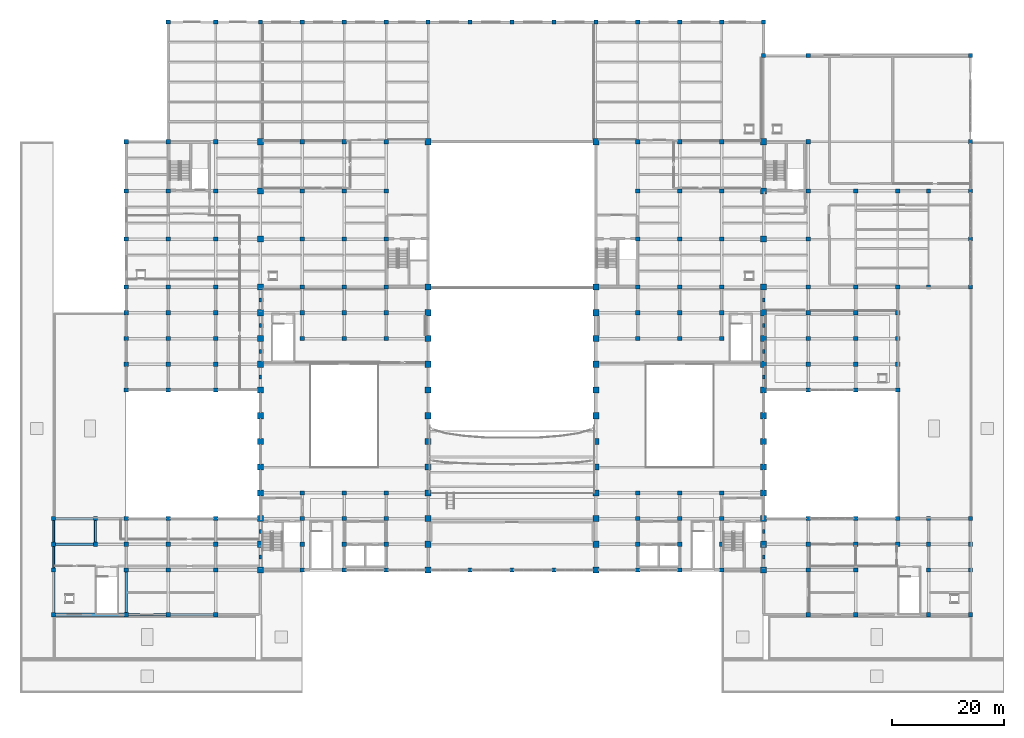
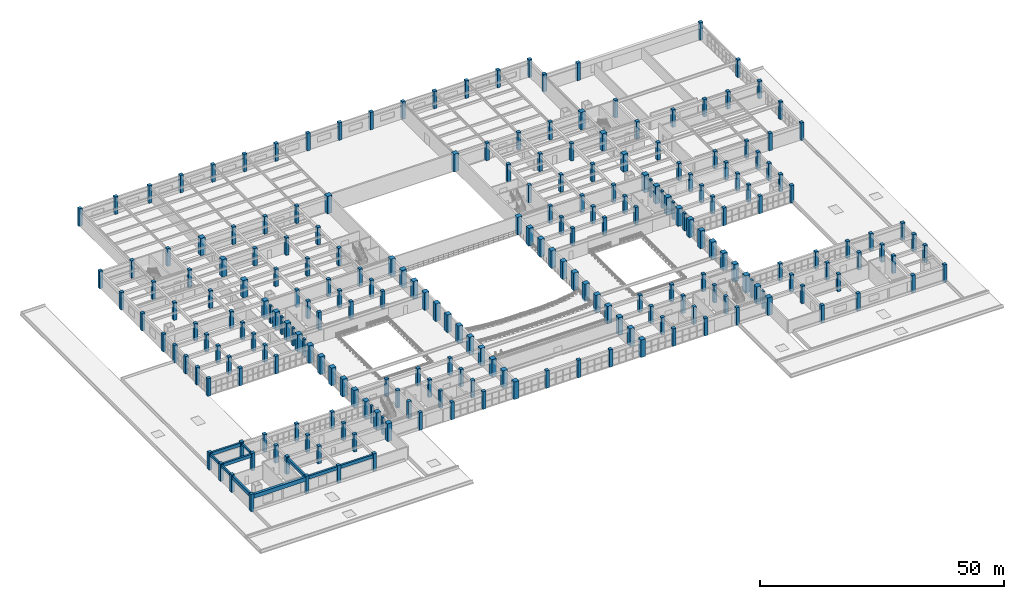
# One storey, part 1 of 90: 235 columns, 10 beams.
"""IFC4 building model written with IfcOpenShell, lengths in metres."""

from ifc_helpers import new_model, si_unit, direction, frame, origin, origin_2d, place, context, subcontext, project, spatial, rectangle, extrude, material, material_profile, profile_set, type_object, element, save


model = new_model("IFC4")

# Units and contexts
model_context = context("Model", 3, precision=1e-05, world=origin(), true_north=direction((0.0, 1.0)))
body_context = subcontext(model_context, "Body", "Model", "MODEL_VIEW")
ifc_project = project(units=[si_unit("LENGTHUNIT", "METRE"), si_unit("AREAUNIT", "SQUARE_METRE"), si_unit("VOLUMEUNIT", "CUBIC_METRE"), si_unit("PLANEANGLEUNIT", "RADIAN"), si_unit("MASSUNIT", "GRAM", prefix="KILO")], contexts=[model_context])

# Site, building, storey
site_placement = place(None, origin())
site = spatial("IfcSite", under=ifc_project, at=site_placement, CompositionType="ELEMENT")
building_placement = place(site_placement, origin())
building = spatial("IfcBuilding", under=site, at=building_placement, Name="Muzn Square Opera House", CompositionType="ELEMENT")
storey_placement = place(building_placement, frame((0.0, 0.0, 9.800048828125)))
storey = spatial("IfcBuildingStorey", under=building, at=storey_placement, Name="L02", CompositionType="ELEMENT", Elevation=9.800048828125)

# Columns
ifc_material_1 = material(Name="Concrete C45/55", Category="concrete")
ifc_material_profile_1 = material_profile(ifc_material_1, rectangle(XDim=0.449951171875, YDim=0.699951171875, at=origin_2d()), Name="RC 450x700", Category="concrete")
ifc_profile_set_1 = profile_set([ifc_material_profile_1], Name="Concrete C45/55")
column_type_1 = type_object("IfcColumnType", Name="Facade Pilaster 450x700", PredefinedType="PILASTER", material=ifc_profile_set_1)
for number, where, z_axis, x_axis, name in (
    (1, (43.0, 24.300048828125, 0.0), (0.0, 0.0, 1.0), (1.0, 0.0, 0.0), "Engaged Pilaster PIL-L02-PIL-4570-430_243"),
    (2, (43.0, 28.89990234375, 0.0), (0.0, 0.0, 1.0), (1.0, 0.0, 0.0), "Engaged Pilaster PIL-L02-PIL-4570-430_289"),
    (3, (43.0, 56.5, 0.0), (0.0, 0.0, 1.0), (1.0, 0.0, 0.0), "Engaged Pilaster PIL-L02-PIL-4570-430_565"),
    (4, (43.0, 61.10009765625, 0.0), (0.0, 0.0, 1.0), (1.0, 0.0, 0.0), "Engaged Pilaster PIL-L02-PIL-4570-430_611"),
    (5, (43.0, 65.699951171875, 0.0), (0.0, 0.0, 1.0), (1.0, 0.0, 0.0), "Engaged Pilaster PIL-L02-PIL-4570-430_657"),
    (6, (43.0, 70.300048828125, 0.0), (0.0, 0.0, 1.0), (1.0, 0.0, 0.0), "Engaged Pilaster PIL-L02-PIL-4570-430_703"),
    (7, (133.0, 24.300048828125, 0.0), (0.0, 0.0, 1.0), (1.0, 0.0, 0.0), "Engaged Pilaster PIL-L02-PIL-4570-1330_243"),
    (8, (133.0, 28.89990234375, 0.0), (0.0, 0.0, 1.0), (1.0, 0.0, 0.0), "Engaged Pilaster PIL-L02-PIL-4570-1330_289"),
    (9, (133.0, 56.5, 0.0), (0.0, 0.0, 1.0), (1.0, 0.0, 0.0), "Engaged Pilaster PIL-L02-PIL-4570-1330_565"),
    (10, (133.0, 61.10009765625, 0.0), (0.0, 0.0, 1.0), (1.0, 0.0, 0.0), "Engaged Pilaster PIL-L02-PIL-4570-1330_611"),
    (11, (133.0, 65.699951171875, 0.0), (0.0, 0.0, 1.0), (1.0, 0.0, 0.0), "Engaged Pilaster PIL-L02-PIL-4570-1330_657"),
    (12, (133.0, 70.300048828125, 0.0), (0.0, 0.0, 1.0), (1.0, 0.0, 0.0), "Engaged Pilaster PIL-L02-PIL-4570-1330_703"),
):
    element("IfcColumn", number, at=place(storey_placement, frame(where, z_axis=z_axis, x_axis=x_axis)), inside=storey, type_object=column_type_1, Name=name, PredefinedType="PILASTER", context=body_context, shape_type="SweptSolid", body=[
        extrude(rectangle(XDim=0.449951171875, YDim=0.699951171875, at=origin_2d()), origin(), (0.0, 0.0, 1.0), 4.39990234375),
    ])
ifc_material_profile_2 = material_profile(ifc_material_1, rectangle(XDim=1.10009765625, YDim=1.10009765625, at=origin_2d()), Name="RC 1100x1100", Category="concrete")
ifc_profile_set_2 = profile_set([ifc_material_profile_2], Name="Concrete C45/55")
column_type_2 = type_object("IfcColumnType", Name="Frame Column 1100x1100", PredefinedType="COLUMN", material=ifc_profile_set_2)
for number, where, z_axis, x_axis, name in (
    (13, (43.0, 22.0, 0.0), (0.0, 0.0, 1.0), (1.0, 0.0, 0.0), "Column COL-L02-COL-1100-430_220"),
    (14, (43.0, 26.60009765625, 0.0), (0.0, 0.0, 1.0), (1.0, 0.0, 0.0), "Column COL-L02-COL-1100-430_266"),
    (15, (43.0, 31.199951171875, 0.0), (0.0, 0.0, 1.0), (1.0, 0.0, 0.0), "Column COL-L02-COL-1100-430_312"),
    (16, (43.0, 35.800048828125, 0.0), (0.0, 0.0, 1.0), (1.0, 0.0, 0.0), "Column COL-L02-COL-1100-430_358"),
    (17, (43.0, 40.39990234375, 0.0), (0.0, 0.0, 1.0), (1.0, 0.0, 0.0), "Column COL-L02-COL-1100-430_404"),
    (18, (43.0, 45.0, 0.0), (0.0, 0.0, 1.0), (1.0, 0.0, 0.0), "Column COL-L02-COL-1100-430_450"),
    (19, (43.0, 49.60009765625, 0.0), (0.0, 0.0, 1.0), (1.0, 0.0, 0.0), "Column COL-L02-COL-1100-430_496"),
    (20, (43.0, 54.199951171875, 0.0), (0.0, 0.0, 1.0), (1.0, 0.0, 0.0), "Column COL-L02-COL-1100-430_542"),
    (21, (43.0, 58.800048828125, 0.0), (0.0, 0.0, 1.0), (1.0, 0.0, 0.0), "Column COL-L02-COL-1100-430_588"),
    (22, (43.0, 63.39990234375, 0.0), (0.0, 0.0, 1.0), (1.0, 0.0, 0.0), "Column COL-L02-COL-1100-430_634"),
    (23, (43.0, 68.0, 0.0), (0.0, 0.0, 1.0), (1.0, 0.0, 0.0), "Column COL-L02-COL-1100-430_680"),
    (24, (43.0, 72.60009765625, 0.0), (0.0, 0.0, 1.0), (1.0, 0.0, 0.0), "Column COL-L02-COL-1100-430_726"),
    (25, (43.0, 81.199951171875, 0.0), (0.0, 0.0, 1.0), (1.0, 0.0, 0.0), "Column COL-L02-COL-1100-430_812"),
    (26, (43.0, 89.800048828125, 0.0), (0.0, 0.0, 1.0), (1.0, 0.0, 0.0), "Column COL-L02-COL-1100-430_898"),
    (27, (43.0, 98.60009765625, 0.0), (0.0, 0.0, 1.0), (1.0, 0.0, 0.0), "Column COL-L02-COL-1100-430_986"),
    (28, (73.0, 22.0, 0.0), (0.0, 0.0, 1.0), (1.0, 0.0, 0.0), "Column COL-L02-COL-1100-730_220"),
    (29, (73.0, 26.60009765625, 0.0), (0.0, 0.0, 1.0), (1.0, 0.0, 0.0), "Column COL-L02-COL-1100-730_266"),
    (30, (73.0, 31.199951171875, 0.0), (0.0, 0.0, 1.0), (1.0, 0.0, 0.0), "Column COL-L02-COL-1100-730_312"),
    (31, (73.0, 35.800048828125, 0.0), (0.0, 0.0, 1.0), (1.0, 0.0, 0.0), "Column COL-L02-COL-1100-730_358"),
    (32, (73.0, 40.39990234375, 0.0), (0.0, 0.0, 1.0), (1.0, 0.0, 0.0), "Column COL-L02-COL-1100-730_404"),
    (33, (73.0, 45.0, 0.0), (0.0, 0.0, 1.0), (1.0, 0.0, 0.0), "Column COL-L02-COL-1100-730_450"),
    (34, (73.0, 49.60009765625, 0.0), (0.0, 0.0, 1.0), (1.0, 0.0, 0.0), "Column COL-L02-COL-1100-730_496"),
    (35, (73.0, 54.199951171875, 0.0), (0.0, 0.0, 1.0), (1.0, 0.0, 0.0), "Column COL-L02-COL-1100-730_542"),
    (36, (73.0, 58.800048828125, 0.0), (0.0, 0.0, 1.0), (1.0, 0.0, 0.0), "Column COL-L02-COL-1100-730_588"),
    (37, (73.0, 63.39990234375, 0.0), (0.0, 0.0, 1.0), (1.0, 0.0, 0.0), "Column COL-L02-COL-1100-730_634"),
    (38, (73.0, 68.0, 0.0), (0.0, 0.0, 1.0), (1.0, 0.0, 0.0), "Column COL-L02-COL-1100-730_680"),
    (39, (73.0, 72.60009765625, 0.0), (0.0, 0.0, 1.0), (1.0, 0.0, 0.0), "Column COL-L02-COL-1100-730_726"),
    (40, (73.0, 98.60009765625, 0.0), (0.0, 0.0, 1.0), (1.0, 0.0, 0.0), "Column COL-L02-COL-1100-730_986"),
    (41, (103.0, 22.0, 0.0), (0.0, 0.0, 1.0), (1.0, 0.0, 0.0), "Column COL-L02-COL-1100-1030_220"),
    (42, (103.0, 26.60009765625, 0.0), (0.0, 0.0, 1.0), (1.0, 0.0, 0.0), "Column COL-L02-COL-1100-1030_266"),
    (43, (103.0, 31.199951171875, 0.0), (0.0, 0.0, 1.0), (1.0, 0.0, 0.0), "Column COL-L02-COL-1100-1030_312"),
    (44, (103.0, 35.800048828125, 0.0), (0.0, 0.0, 1.0), (1.0, 0.0, 0.0), "Column COL-L02-COL-1100-1030_358"),
    (45, (103.0, 40.39990234375, 0.0), (0.0, 0.0, 1.0), (1.0, 0.0, 0.0), "Column COL-L02-COL-1100-1030_404"),
    (46, (103.0, 45.0, 0.0), (0.0, 0.0, 1.0), (1.0, 0.0, 0.0), "Column COL-L02-COL-1100-1030_450"),
    (47, (103.0, 49.60009765625, 0.0), (0.0, 0.0, 1.0), (1.0, 0.0, 0.0), "Column COL-L02-COL-1100-1030_496"),
    (48, (103.0, 54.199951171875, 0.0), (0.0, 0.0, 1.0), (1.0, 0.0, 0.0), "Column COL-L02-COL-1100-1030_542"),
    (49, (103.0, 58.800048828125, 0.0), (0.0, 0.0, 1.0), (1.0, 0.0, 0.0), "Column COL-L02-COL-1100-1030_588"),
    (50, (103.0, 63.39990234375, 0.0), (0.0, 0.0, 1.0), (1.0, 0.0, 0.0), "Column COL-L02-COL-1100-1030_634"),
    (51, (103.0, 68.0, 0.0), (0.0, 0.0, 1.0), (1.0, 0.0, 0.0), "Column COL-L02-COL-1100-1030_680"),
    (52, (103.0, 72.60009765625, 0.0), (0.0, 0.0, 1.0), (1.0, 0.0, 0.0), "Column COL-L02-COL-1100-1030_726"),
    (53, (103.0, 98.60009765625, 0.0), (0.0, 0.0, 1.0), (1.0, 0.0, 0.0), "Column COL-L02-COL-1100-1030_986"),
    (54, (133.0, 22.0, 0.0), (0.0, 0.0, 1.0), (1.0, 0.0, 0.0), "Column COL-L02-COL-1100-1330_220"),
    (55, (133.0, 26.60009765625, 0.0), (0.0, 0.0, 1.0), (1.0, 0.0, 0.0), "Column COL-L02-COL-1100-1330_266"),
    (56, (133.0, 31.199951171875, 0.0), (0.0, 0.0, 1.0), (1.0, 0.0, 0.0), "Column COL-L02-COL-1100-1330_312"),
    (57, (133.0, 35.800048828125, 0.0), (0.0, 0.0, 1.0), (1.0, 0.0, 0.0), "Column COL-L02-COL-1100-1330_358"),
    (58, (133.0, 40.39990234375, 0.0), (0.0, 0.0, 1.0), (1.0, 0.0, 0.0), "Column COL-L02-COL-1100-1330_404"),
    (59, (133.0, 45.0, 0.0), (0.0, 0.0, 1.0), (1.0, 0.0, 0.0), "Column COL-L02-COL-1100-1330_450"),
    (60, (133.0, 49.60009765625, 0.0), (0.0, 0.0, 1.0), (1.0, 0.0, 0.0), "Column COL-L02-COL-1100-1330_496"),
    (61, (133.0, 54.199951171875, 0.0), (0.0, 0.0, 1.0), (1.0, 0.0, 0.0), "Column COL-L02-COL-1100-1330_542"),
    (62, (133.0, 58.800048828125, 0.0), (0.0, 0.0, 1.0), (1.0, 0.0, 0.0), "Column COL-L02-COL-1100-1330_588"),
    (63, (133.0, 63.39990234375, 0.0), (0.0, 0.0, 1.0), (1.0, 0.0, 0.0), "Column COL-L02-COL-1100-1330_634"),
    (64, (133.0, 68.0, 0.0), (0.0, 0.0, 1.0), (1.0, 0.0, 0.0), "Column COL-L02-COL-1100-1330_680"),
    (65, (133.0, 72.60009765625, 0.0), (0.0, 0.0, 1.0), (1.0, 0.0, 0.0), "Column COL-L02-COL-1100-1330_726"),
    (66, (133.0, 81.199951171875, 0.0), (0.0, 0.0, 1.0), (1.0, 0.0, 0.0), "Column COL-L02-COL-1100-1330_812"),
    (67, (133.0, 89.800048828125, 0.0), (0.0, 0.0, 1.0), (1.0, 0.0, 0.0), "Column COL-L02-COL-1100-1330_898"),
    (68, (133.0, 98.60009765625, 0.0), (0.0, 0.0, 1.0), (1.0, 0.0, 0.0), "Column COL-L02-COL-1100-1330_986"),
):
    element("IfcColumn", number, at=place(storey_placement, frame(where, z_axis=z_axis, x_axis=x_axis)), inside=storey, type_object=column_type_2, Name=name, PredefinedType="COLUMN", context=body_context, shape_type="SweptSolid", body=[
        extrude(rectangle(XDim=1.10009765625, YDim=1.10009765625, at=origin_2d()), origin(), (0.0, 0.0, 1.0), 4.39990234375),
    ])
ifc_material_profile_3 = material_profile(ifc_material_1, rectangle(XDim=0.75, YDim=0.75, at=origin_2d()), Name="RC 750x750", Category="concrete")
ifc_profile_set_3 = profile_set([ifc_material_profile_3], Name="Concrete C45/55")
column_type_3 = type_object("IfcColumnType", Name="Frame Column 750x750", PredefinedType="COLUMN", material=ifc_profile_set_3)
for number, where, z_axis, x_axis, name in (
    (69, (6.0, 14.0, 0.0), (0.0, 0.0, 1.0), (1.0, 0.0, 0.0), "Column COL-L02-COL-750-60_140"),
    (70, (6.0, 22.0, 0.0), (0.0, 0.0, 1.0), (1.0, 0.0, 0.0), "Column COL-L02-COL-750-60_220"),
    (71, (6.0, 26.60009765625, 0.0), (0.0, 0.0, 1.0), (1.0, 0.0, 0.0), "Column COL-L02-COL-750-60_266"),
    (72, (6.0, 31.199951171875, 0.0), (0.0, 0.0, 1.0), (1.0, 0.0, 0.0), "Column COL-L02-COL-750-60_312"),
    (73, (13.5, 26.60009765625, 0.0), (0.0, 0.0, 1.0), (1.0, 0.0, 0.0), "Column COL-L02-COL-750-135_266"),
    (74, (13.5, 31.199951171875, 0.0), (0.0, 0.0, 1.0), (1.0, 0.0, 0.0), "Column COL-L02-COL-750-135_312"),
    (75, (19.0, 14.0, 0.0), (0.0, 0.0, 1.0), (1.0, 0.0, 0.0), "Column COL-L02-COL-750-190_140"),
    (76, (19.0, 22.0, 0.0), (0.0, 0.0, 1.0), (1.0, 0.0, 0.0), "Column COL-L02-COL-750-190_220"),
    (77, (19.0, 26.60009765625, 0.0), (0.0, 0.0, 1.0), (1.0, 0.0, 0.0), "Column COL-L02-COL-750-190_266"),
    (78, (19.0, 31.199951171875, 0.0), (0.0, 0.0, 1.0), (1.0, 0.0, 0.0), "Column COL-L02-COL-750-190_312"),
    (79, (19.0, 54.199951171875, 0.0), (0.0, 0.0, 1.0), (1.0, 0.0, 0.0), "Column COL-L02-COL-750-190_542"),
    (80, (19.0, 58.800048828125, 0.0), (0.0, 0.0, 1.0), (1.0, 0.0, 0.0), "Column COL-L02-COL-750-190_588"),
    (81, (19.0, 63.39990234375, 0.0), (0.0, 0.0, 1.0), (1.0, 0.0, 0.0), "Column COL-L02-COL-750-190_634"),
    (82, (19.0, 68.0, 0.0), (0.0, 0.0, 1.0), (1.0, 0.0, 0.0), "Column COL-L02-COL-750-190_680"),
    (83, (19.0, 72.60009765625, 0.0), (0.0, 0.0, 1.0), (1.0, 0.0, 0.0), "Column COL-L02-COL-750-190_726"),
    (84, (19.0, 81.199951171875, 0.0), (0.0, 0.0, 1.0), (1.0, 0.0, 0.0), "Column COL-L02-COL-750-190_812"),
    (85, (19.0, 89.800048828125, 0.0), (0.0, 0.0, 1.0), (1.0, 0.0, 0.0), "Column COL-L02-COL-750-190_898"),
    (86, (19.0, 98.60009765625, 0.0), (0.0, 0.0, 1.0), (1.0, 0.0, 0.0), "Column COL-L02-COL-750-190_986"),
    (87, (26.5, 14.0, 0.0), (0.0, 0.0, 1.0), (1.0, 0.0, 0.0), "Column COL-L02-COL-750-265_140"),
    (88, (26.5, 22.0, 0.0), (0.0, 0.0, 1.0), (1.0, 0.0, 0.0), "Column COL-L02-COL-750-265_220"),
    (89, (26.5, 26.60009765625, 0.0), (0.0, 0.0, 1.0), (1.0, 0.0, 0.0), "Column COL-L02-COL-750-265_266"),
    (90, (26.5, 31.199951171875, 0.0), (0.0, 0.0, 1.0), (1.0, 0.0, 0.0), "Column COL-L02-COL-750-265_312"),
    (91, (26.5, 54.199951171875, 0.0), (0.0, 0.0, 1.0), (1.0, 0.0, 0.0), "Column COL-L02-COL-750-265_542"),
    (92, (26.5, 58.800048828125, 0.0), (0.0, 0.0, 1.0), (1.0, 0.0, 0.0), "Column COL-L02-COL-750-265_588"),
    (93, (26.5, 63.39990234375, 0.0), (0.0, 0.0, 1.0), (1.0, 0.0, 0.0), "Column COL-L02-COL-750-265_634"),
    (94, (26.5, 68.0, 0.0), (0.0, 0.0, 1.0), (1.0, 0.0, 0.0), "Column COL-L02-COL-750-265_680"),
    (95, (26.5, 72.60009765625, 0.0), (0.0, 0.0, 1.0), (1.0, 0.0, 0.0), "Column COL-L02-COL-750-265_726"),
    (96, (26.5, 81.199951171875, 0.0), (0.0, 0.0, 1.0), (1.0, 0.0, 0.0), "Column COL-L02-COL-750-265_812"),
    (97, (26.5, 89.800048828125, 0.0), (0.0, 0.0, 1.0), (1.0, 0.0, 0.0), "Column COL-L02-COL-750-265_898"),
    (98, (26.5, 98.60009765625, 0.0), (0.0, 0.0, 1.0), (1.0, 0.0, 0.0), "Column COL-L02-COL-750-265_986"),
    (99, (26.5, 120.0, 0.0), (0.0, 0.0, 1.0), (1.0, 0.0, 0.0), "Column COL-L02-COL-750-265_1200"),
    (100, (35.0, 14.0, 0.0), (0.0, 0.0, 1.0), (1.0, 0.0, 0.0), "Column COL-L02-COL-750-350_140"),
    (101, (35.0, 22.0, 0.0), (0.0, 0.0, 1.0), (1.0, 0.0, 0.0), "Column COL-L02-COL-750-350_220"),
    (102, (35.0, 26.60009765625, 0.0), (0.0, 0.0, 1.0), (1.0, 0.0, 0.0), "Column COL-L02-COL-750-350_266"),
    (103, (35.0, 31.199951171875, 0.0), (0.0, 0.0, 1.0), (1.0, 0.0, 0.0), "Column COL-L02-COL-750-350_312"),
    (104, (35.0, 54.199951171875, 0.0), (0.0, 0.0, 1.0), (1.0, 0.0, 0.0), "Column COL-L02-COL-750-350_542"),
    (105, (35.0, 58.800048828125, 0.0), (0.0, 0.0, 1.0), (1.0, 0.0, 0.0), "Column COL-L02-COL-750-350_588"),
    (106, (35.0, 63.39990234375, 0.0), (0.0, 0.0, 1.0), (1.0, 0.0, 0.0), "Column COL-L02-COL-750-350_634"),
    (107, (35.0, 68.0, 0.0), (0.0, 0.0, 1.0), (1.0, 0.0, 0.0), "Column COL-L02-COL-750-350_680"),
    (108, (35.0, 72.60009765625, 0.0), (0.0, 0.0, 1.0), (1.0, 0.0, 0.0), "Column COL-L02-COL-750-350_726"),
    (109, (35.0, 81.199951171875, 0.0), (0.0, 0.0, 1.0), (1.0, 0.0, 0.0), "Column COL-L02-COL-750-350_812"),
    (110, (35.0, 89.800048828125, 0.0), (0.0, 0.0, 1.0), (1.0, 0.0, 0.0), "Column COL-L02-COL-750-350_898"),
    (111, (35.0, 98.60009765625, 0.0), (0.0, 0.0, 1.0), (1.0, 0.0, 0.0), "Column COL-L02-COL-750-350_986"),
    (112, (35.0, 120.0, 0.0), (0.0, 0.0, 1.0), (1.0, 0.0, 0.0), "Column COL-L02-COL-750-350_1200"),
    (113, (43.0, 120.0, 0.0), (0.0, 0.0, 1.0), (1.0, 0.0, 0.0), "Column COL-L02-COL-750-430_1200"),
    (114, (50.5, 22.0, 0.0), (0.0, 0.0, 1.0), (1.0, 0.0, 0.0), "Column COL-L02-COL-750-505_220"),
    (115, (50.5, 26.60009765625, 0.0), (0.0, 0.0, 1.0), (1.0, 0.0, 0.0), "Column COL-L02-COL-750-505_266"),
    (116, (50.5, 31.199951171875, 0.0), (0.0, 0.0, 1.0), (1.0, 0.0, 0.0), "Column COL-L02-COL-750-505_312"),
    (117, (50.5, 35.800048828125, 0.0), (0.0, 0.0, 1.0), (1.0, 0.0, 0.0), "Column COL-L02-COL-750-505_358"),
    (118, (50.5, 63.39990234375, 0.0), (0.0, 0.0, 1.0), (1.0, 0.0, 0.0), "Column COL-L02-COL-750-505_634"),
    (119, (50.5, 68.0, 0.0), (0.0, 0.0, 1.0), (1.0, 0.0, 0.0), "Column COL-L02-COL-750-505_680"),
    (120, (50.5, 72.60009765625, 0.0), (0.0, 0.0, 1.0), (1.0, 0.0, 0.0), "Column COL-L02-COL-750-505_726"),
    (121, (50.5, 81.199951171875, 0.0), (0.0, 0.0, 1.0), (1.0, 0.0, 0.0), "Column COL-L02-COL-750-505_812"),
    (122, (50.5, 89.800048828125, 0.0), (0.0, 0.0, 1.0), (1.0, 0.0, 0.0), "Column COL-L02-COL-750-505_898"),
    (123, (50.5, 98.60009765625, 0.0), (0.0, 0.0, 1.0), (1.0, 0.0, 0.0), "Column COL-L02-COL-750-505_986"),
    (124, (50.5, 120.0, 0.0), (0.0, 0.0, 1.0), (1.0, 0.0, 0.0), "Column COL-L02-COL-750-505_1200"),
    (125, (58.0, 22.0, 0.0), (0.0, 0.0, 1.0), (1.0, 0.0, 0.0), "Column COL-L02-COL-750-580_220"),
    (126, (58.0, 26.60009765625, 0.0), (0.0, 0.0, 1.0), (1.0, 0.0, 0.0), "Column COL-L02-COL-750-580_266"),
    (127, (58.0, 31.199951171875, 0.0), (0.0, 0.0, 1.0), (1.0, 0.0, 0.0), "Column COL-L02-COL-750-580_312"),
    (128, (58.0, 35.800048828125, 0.0), (0.0, 0.0, 1.0), (1.0, 0.0, 0.0), "Column COL-L02-COL-750-580_358"),
    (129, (58.0, 63.39990234375, 0.0), (0.0, 0.0, 1.0), (1.0, 0.0, 0.0), "Column COL-L02-COL-750-580_634"),
    (130, (58.0, 68.0, 0.0), (0.0, 0.0, 1.0), (1.0, 0.0, 0.0), "Column COL-L02-COL-750-580_680"),
    (131, (58.0, 72.60009765625, 0.0), (0.0, 0.0, 1.0), (1.0, 0.0, 0.0), "Column COL-L02-COL-750-580_726"),
    (132, (58.0, 81.199951171875, 0.0), (0.0, 0.0, 1.0), (1.0, 0.0, 0.0), "Column COL-L02-COL-750-580_812"),
    (133, (58.0, 89.800048828125, 0.0), (0.0, 0.0, 1.0), (1.0, 0.0, 0.0), "Column COL-L02-COL-750-580_898"),
    (134, (58.0, 98.60009765625, 0.0), (0.0, 0.0, 1.0), (1.0, 0.0, 0.0), "Column COL-L02-COL-750-580_986"),
    (135, (58.0, 120.0, 0.0), (0.0, 0.0, 1.0), (1.0, 0.0, 0.0), "Column COL-L02-COL-750-580_1200"),
    (136, (65.5, 22.0, 0.0), (0.0, 0.0, 1.0), (1.0, 0.0, 0.0), "Column COL-L02-COL-750-655_220"),
    (137, (65.5, 26.60009765625, 0.0), (0.0, 0.0, 1.0), (1.0, 0.0, 0.0), "Column COL-L02-COL-750-655_266"),
    (138, (65.5, 31.199951171875, 0.0), (0.0, 0.0, 1.0), (1.0, 0.0, 0.0), "Column COL-L02-COL-750-655_312"),
    (139, (65.5, 35.800048828125, 0.0), (0.0, 0.0, 1.0), (1.0, 0.0, 0.0), "Column COL-L02-COL-750-655_358"),
    (140, (65.5, 63.39990234375, 0.0), (0.0, 0.0, 1.0), (1.0, 0.0, 0.0), "Column COL-L02-COL-750-655_634"),
    (141, (65.5, 68.0, 0.0), (0.0, 0.0, 1.0), (1.0, 0.0, 0.0), "Column COL-L02-COL-750-655_680"),
    (142, (65.5, 72.60009765625, 0.0), (0.0, 0.0, 1.0), (1.0, 0.0, 0.0), "Column COL-L02-COL-750-655_726"),
    (143, (65.5, 81.199951171875, 0.0), (0.0, 0.0, 1.0), (1.0, 0.0, 0.0), "Column COL-L02-COL-750-655_812"),
    (144, (65.5, 89.800048828125, 0.0), (0.0, 0.0, 1.0), (1.0, 0.0, 0.0), "Column COL-L02-COL-750-655_898"),
    (145, (65.5, 98.60009765625, 0.0), (0.0, 0.0, 1.0), (1.0, 0.0, 0.0), "Column COL-L02-COL-750-655_986"),
    (146, (65.5, 120.0, 0.0), (0.0, 0.0, 1.0), (1.0, 0.0, 0.0), "Column COL-L02-COL-750-655_1200"),
    (147, (73.0, 120.0, 0.0), (0.0, 0.0, 1.0), (1.0, 0.0, 0.0), "Column COL-L02-COL-750-730_1200"),
    (148, (80.5, 22.0, 0.0), (0.0, 0.0, 1.0), (1.0, 0.0, 0.0), "Column COL-L02-COL-750-805_220"),
    (149, (80.5, 120.0, 0.0), (0.0, 0.0, 1.0), (1.0, 0.0, 0.0), "Column COL-L02-COL-750-805_1200"),
    (150, (88.0, 22.0, 0.0), (0.0, 0.0, 1.0), (1.0, 0.0, 0.0), "Column COL-L02-COL-750-880_220"),
    (151, (88.0, 120.0, 0.0), (0.0, 0.0, 1.0), (1.0, 0.0, 0.0), "Column COL-L02-COL-750-880_1200"),
    (152, (95.5, 22.0, 0.0), (0.0, 0.0, 1.0), (1.0, 0.0, 0.0), "Column COL-L02-COL-750-955_220"),
    (153, (95.5, 120.0, 0.0), (0.0, 0.0, 1.0), (1.0, 0.0, 0.0), "Column COL-L02-COL-750-955_1200"),
    (154, (103.0, 120.0, 0.0), (0.0, 0.0, 1.0), (1.0, 0.0, 0.0), "Column COL-L02-COL-750-1030_1200"),
    (155, (110.5, 22.0, 0.0), (0.0, 0.0, 1.0), (1.0, 0.0, 0.0), "Column COL-L02-COL-750-1105_220"),
    (156, (110.5, 26.60009765625, 0.0), (0.0, 0.0, 1.0), (1.0, 0.0, 0.0), "Column COL-L02-COL-750-1105_266"),
    (157, (110.5, 31.199951171875, 0.0), (0.0, 0.0, 1.0), (1.0, 0.0, 0.0), "Column COL-L02-COL-750-1105_312"),
    (158, (110.5, 35.800048828125, 0.0), (0.0, 0.0, 1.0), (1.0, 0.0, 0.0), "Column COL-L02-COL-750-1105_358"),
    (159, (110.5, 63.39990234375, 0.0), (0.0, 0.0, 1.0), (1.0, 0.0, 0.0), "Column COL-L02-COL-750-1105_634"),
    (160, (110.5, 68.0, 0.0), (0.0, 0.0, 1.0), (1.0, 0.0, 0.0), "Column COL-L02-COL-750-1105_680"),
    (161, (110.5, 72.60009765625, 0.0), (0.0, 0.0, 1.0), (1.0, 0.0, 0.0), "Column COL-L02-COL-750-1105_726"),
    (162, (110.5, 81.199951171875, 0.0), (0.0, 0.0, 1.0), (1.0, 0.0, 0.0), "Column COL-L02-COL-750-1105_812"),
    (163, (110.5, 89.800048828125, 0.0), (0.0, 0.0, 1.0), (1.0, 0.0, 0.0), "Column COL-L02-COL-750-1105_898"),
    (164, (110.5, 98.60009765625, 0.0), (0.0, 0.0, 1.0), (1.0, 0.0, 0.0), "Column COL-L02-COL-750-1105_986"),
    (165, (110.5, 120.0, 0.0), (0.0, 0.0, 1.0), (1.0, 0.0, 0.0), "Column COL-L02-COL-750-1105_1200"),
    (166, (118.0, 22.0, 0.0), (0.0, 0.0, 1.0), (1.0, 0.0, 0.0), "Column COL-L02-COL-750-1180_220"),
    (167, (118.0, 26.60009765625, 0.0), (0.0, 0.0, 1.0), (1.0, 0.0, 0.0), "Column COL-L02-COL-750-1180_266"),
    (168, (118.0, 31.199951171875, 0.0), (0.0, 0.0, 1.0), (1.0, 0.0, 0.0), "Column COL-L02-COL-750-1180_312"),
    (169, (118.0, 35.800048828125, 0.0), (0.0, 0.0, 1.0), (1.0, 0.0, 0.0), "Column COL-L02-COL-750-1180_358"),
    (170, (118.0, 63.39990234375, 0.0), (0.0, 0.0, 1.0), (1.0, 0.0, 0.0), "Column COL-L02-COL-750-1180_634"),
    (171, (118.0, 68.0, 0.0), (0.0, 0.0, 1.0), (1.0, 0.0, 0.0), "Column COL-L02-COL-750-1180_680"),
    (172, (118.0, 72.60009765625, 0.0), (0.0, 0.0, 1.0), (1.0, 0.0, 0.0), "Column COL-L02-COL-750-1180_726"),
    (173, (118.0, 81.199951171875, 0.0), (0.0, 0.0, 1.0), (1.0, 0.0, 0.0), "Column COL-L02-COL-750-1180_812"),
    (174, (118.0, 89.800048828125, 0.0), (0.0, 0.0, 1.0), (1.0, 0.0, 0.0), "Column COL-L02-COL-750-1180_898"),
    (175, (118.0, 98.60009765625, 0.0), (0.0, 0.0, 1.0), (1.0, 0.0, 0.0), "Column COL-L02-COL-750-1180_986"),
    (176, (118.0, 120.0, 0.0), (0.0, 0.0, 1.0), (1.0, 0.0, 0.0), "Column COL-L02-COL-750-1180_1200"),
    (177, (125.5, 22.0, 0.0), (0.0, 0.0, 1.0), (1.0, 0.0, 0.0), "Column COL-L02-COL-750-1255_220"),
    (178, (125.5, 26.60009765625, 0.0), (0.0, 0.0, 1.0), (1.0, 0.0, 0.0), "Column COL-L02-COL-750-1255_266"),
    (179, (125.5, 31.199951171875, 0.0), (0.0, 0.0, 1.0), (1.0, 0.0, 0.0), "Column COL-L02-COL-750-1255_312"),
    (180, (125.5, 35.800048828125, 0.0), (0.0, 0.0, 1.0), (1.0, 0.0, 0.0), "Column COL-L02-COL-750-1255_358"),
    (181, (125.5, 63.39990234375, 0.0), (0.0, 0.0, 1.0), (1.0, 0.0, 0.0), "Column COL-L02-COL-750-1255_634"),
    (182, (125.5, 68.0, 0.0), (0.0, 0.0, 1.0), (1.0, 0.0, 0.0), "Column COL-L02-COL-750-1255_680"),
    (183, (125.5, 72.60009765625, 0.0), (0.0, 0.0, 1.0), (1.0, 0.0, 0.0), "Column COL-L02-COL-750-1255_726"),
    (184, (125.5, 81.199951171875, 0.0), (0.0, 0.0, 1.0), (1.0, 0.0, 0.0), "Column COL-L02-COL-750-1255_812"),
    (185, (125.5, 89.800048828125, 0.0), (0.0, 0.0, 1.0), (1.0, 0.0, 0.0), "Column COL-L02-COL-750-1255_898"),
    (186, (125.5, 98.60009765625, 0.0), (0.0, 0.0, 1.0), (1.0, 0.0, 0.0), "Column COL-L02-COL-750-1255_986"),
    (187, (125.5, 120.0, 0.0), (0.0, 0.0, 1.0), (1.0, 0.0, 0.0), "Column COL-L02-COL-750-1255_1200"),
    (188, (133.0, 120.0, 0.0), (0.0, 0.0, 1.0), (1.0, 0.0, 0.0), "Column COL-L02-COL-750-1330_1200"),
    (189, (141.0, 14.0, 0.0), (0.0, 0.0, 1.0), (1.0, 0.0, 0.0), "Column COL-L02-COL-750-1410_140"),
    (190, (141.0, 22.0, 0.0), (0.0, 0.0, 1.0), (1.0, 0.0, 0.0), "Column COL-L02-COL-750-1410_220"),
    (191, (141.0, 26.60009765625, 0.0), (0.0, 0.0, 1.0), (1.0, 0.0, 0.0), "Column COL-L02-COL-750-1410_266"),
    (192, (141.0, 31.199951171875, 0.0), (0.0, 0.0, 1.0), (1.0, 0.0, 0.0), "Column COL-L02-COL-750-1410_312"),
    (193, (141.0, 54.199951171875, 0.0), (0.0, 0.0, 1.0), (1.0, 0.0, 0.0), "Column COL-L02-COL-750-1410_542"),
    (194, (141.0, 58.800048828125, 0.0), (0.0, 0.0, 1.0), (1.0, 0.0, 0.0), "Column COL-L02-COL-750-1410_588"),
    (195, (141.0, 63.39990234375, 0.0), (0.0, 0.0, 1.0), (1.0, 0.0, 0.0), "Column COL-L02-COL-750-1410_634"),
    (196, (141.0, 68.0, 0.0), (0.0, 0.0, 1.0), (1.0, 0.0, 0.0), "Column COL-L02-COL-750-1410_680"),
    (197, (141.0, 72.60009765625, 0.0), (0.0, 0.0, 1.0), (1.0, 0.0, 0.0), "Column COL-L02-COL-750-1410_726"),
    (198, (141.0, 81.199951171875, 0.0), (0.0, 0.0, 1.0), (1.0, 0.0, 0.0), "Column COL-L02-COL-750-1410_812"),
    (199, (141.0, 89.800048828125, 0.0), (0.0, 0.0, 1.0), (1.0, 0.0, 0.0), "Column COL-L02-COL-750-1410_898"),
    (200, (141.0, 98.60009765625, 0.0), (0.0, 0.0, 1.0), (1.0, 0.0, 0.0), "Column COL-L02-COL-750-1410_986"),
    (201, (149.5, 14.0, 0.0), (0.0, 0.0, 1.0), (1.0, 0.0, 0.0), "Column COL-L02-COL-750-1495_140"),
    (202, (149.5, 22.0, 0.0), (0.0, 0.0, 1.0), (1.0, 0.0, 0.0), "Column COL-L02-COL-750-1495_220"),
    (203, (149.5, 26.60009765625, 0.0), (0.0, 0.0, 1.0), (1.0, 0.0, 0.0), "Column COL-L02-COL-750-1495_266"),
    (204, (149.5, 31.199951171875, 0.0), (0.0, 0.0, 1.0), (1.0, 0.0, 0.0), "Column COL-L02-COL-750-1495_312"),
    (205, (149.5, 54.199951171875, 0.0), (0.0, 0.0, 1.0), (1.0, 0.0, 0.0), "Column COL-L02-COL-750-1495_542"),
    (206, (149.5, 58.800048828125, 0.0), (0.0, 0.0, 1.0), (1.0, 0.0, 0.0), "Column COL-L02-COL-750-1495_588"),
    (207, (149.5, 63.39990234375, 0.0), (0.0, 0.0, 1.0), (1.0, 0.0, 0.0), "Column COL-L02-COL-750-1495_634"),
    (208, (149.5, 68.0, 0.0), (0.0, 0.0, 1.0), (1.0, 0.0, 0.0), "Column COL-L02-COL-750-1495_680"),
    (209, (149.5, 72.60009765625, 0.0), (0.0, 0.0, 1.0), (1.0, 0.0, 0.0), "Column COL-L02-COL-750-1495_726"),
    (210, (149.5, 89.800048828125, 0.0), (0.0, 0.0, 1.0), (1.0, 0.0, 0.0), "Column COL-L02-COL-750-1495_898"),
    (211, (157.0, 26.60009765625, 0.0), (0.0, 0.0, 1.0), (1.0, 0.0, 0.0), "Column COL-L02-COL-750-1570_266"),
    (212, (157.0, 31.199951171875, 0.0), (0.0, 0.0, 1.0), (1.0, 0.0, 0.0), "Column COL-L02-COL-750-1570_312"),
    (213, (157.0, 54.199951171875, 0.0), (0.0, 0.0, 1.0), (1.0, 0.0, 0.0), "Column COL-L02-COL-750-1570_542"),
    (214, (157.0, 58.800048828125, 0.0), (0.0, 0.0, 1.0), (1.0, 0.0, 0.0), "Column COL-L02-COL-750-1570_588"),
    (215, (157.0, 63.39990234375, 0.0), (0.0, 0.0, 1.0), (1.0, 0.0, 0.0), "Column COL-L02-COL-750-1570_634"),
    (216, (157.0, 68.0, 0.0), (0.0, 0.0, 1.0), (1.0, 0.0, 0.0), "Column COL-L02-COL-750-1570_680"),
    (217, (157.0, 72.60009765625, 0.0), (0.0, 0.0, 1.0), (1.0, 0.0, 0.0), "Column COL-L02-COL-750-1570_726"),
    (218, (157.0, 89.800048828125, 0.0), (0.0, 0.0, 1.0), (1.0, 0.0, 0.0), "Column COL-L02-COL-750-1570_898"),
    (219, (162.5, 14.0, 0.0), (0.0, 0.0, 1.0), (1.0, 0.0, 0.0), "Column COL-L02-COL-750-1625_140"),
    (220, (162.5, 22.0, 0.0), (0.0, 0.0, 1.0), (1.0, 0.0, 0.0), "Column COL-L02-COL-750-1625_220"),
    (221, (162.5, 26.60009765625, 0.0), (0.0, 0.0, 1.0), (1.0, 0.0, 0.0), "Column COL-L02-COL-750-1625_266"),
    (222, (162.5, 31.199951171875, 0.0), (0.0, 0.0, 1.0), (1.0, 0.0, 0.0), "Column COL-L02-COL-750-1625_312"),
    (223, (162.5, 72.60009765625, 0.0), (0.0, 0.0, 1.0), (1.0, 0.0, 0.0), "Column COL-L02-COL-750-1625_726"),
    (224, (162.5, 89.800048828125, 0.0), (0.0, 0.0, 1.0), (1.0, 0.0, 0.0), "Column COL-L02-COL-750-1625_898"),
    (225, (170.0, 14.0, 0.0), (0.0, 0.0, 1.0), (1.0, 0.0, 0.0), "Column COL-L02-COL-750-1700_140"),
    (226, (170.0, 22.0, 0.0), (0.0, 0.0, 1.0), (1.0, 0.0, 0.0), "Column COL-L02-COL-750-1700_220"),
    (227, (170.0, 26.60009765625, 0.0), (0.0, 0.0, 1.0), (1.0, 0.0, 0.0), "Column COL-L02-COL-750-1700_266"),
    (228, (170.0, 31.199951171875, 0.0), (0.0, 0.0, 1.0), (1.0, 0.0, 0.0), "Column COL-L02-COL-750-1700_312"),
    (229, (170.0, 72.60009765625, 0.0), (0.0, 0.0, 1.0), (1.0, 0.0, 0.0), "Column COL-L02-COL-750-1700_726"),
    (230, (170.0, 81.199951171875, 0.0), (0.0, 0.0, 1.0), (1.0, 0.0, 0.0), "Column COL-L02-COL-750-1700_812"),
    (231, (170.0, 89.800048828125, 0.0), (0.0, 0.0, 1.0), (1.0, 0.0, 0.0), "Column COL-L02-COL-750-1700_898"),
    (232, (170.0, 98.60009765625, 0.0), (0.0, 0.0, 1.0), (1.0, 0.0, 0.0), "Column COL-L02-COL-750-1700_986"),
    (233, (133.0, 114.0, 0.0), (0.0, 0.0, 1.0), (1.0, 0.0, 0.0), "Column COL-N114-L02-010"),
    (234, (141.0, 114.0, 0.0), (0.0, 0.0, 1.0), (1.0, 0.0, 0.0), "Column COL-N114-L02-011"),
    (235, (170.0, 114.0, 0.0), (0.0, 0.0, 1.0), (1.0, 0.0, 0.0), "Column COL-N114-L02-012"),
):
    element("IfcColumn", number, at=place(storey_placement, frame(where, z_axis=z_axis, x_axis=x_axis)), inside=storey, type_object=column_type_3, Name=name, PredefinedType="COLUMN", context=body_context, shape_type="SweptSolid", body=[
        extrude(rectangle(XDim=0.75, YDim=0.75, at=origin_2d()), origin(), (0.0, 0.0, 1.0), 4.39990234375),
    ])

# Beams
ifc_material_2 = material(Name="Concrete C40/50", Category="concrete")
ifc_material_profile_4 = material_profile(ifc_material_2, rectangle(XDim=0.35009765625, YDim=0.60009765625, at=origin_2d()), Name="RCB 350x600", Category="concrete")
ifc_profile_set_4 = profile_set([ifc_material_profile_4], Name="Concrete C40/50")
beam_type_1 = type_object("IfcBeamType", Name="Primary Girder 350x600", PredefinedType="BEAM", material=ifc_profile_set_4)
for number, where, z_axis, x_axis, name in (
    (236, (6.0, 22.366943359375, 3.820068359375), (0.0, 1.0, 0.0), (-1.0, 0.0, 0.0), "Primary Girder BM-L02-BM-PG600-60_224_60_262-2118"),
    (237, (6.0, 26.967041015625, 3.820068359375), (0.0, 1.0, 0.0), (-1.0, 0.0, 0.0), "Primary Girder BM-L02-BM-PG600-60_270_60_308-2119"),
    (238, (13.5, 26.967041015625, 3.849853515625), (0.0, 1.0, 0.0), (-1.0, 0.0, 0.0), "Primary Girder BM-L02-BM-PG600-135_270_135_308-2120"),
):
    element("IfcBeam", number, at=place(storey_placement, frame(where, z_axis=z_axis, x_axis=x_axis)), inside=storey, type_object=beam_type_1, Name=name, PredefinedType="BEAM", context=body_context, shape_type="SweptSolid", body=[
        extrude(rectangle(XDim=0.35009765625, YDim=0.60009765625, at=origin_2d()), origin(), (0.0, 0.0, 1.0), 3.865966796875),
    ])
ifc_material_profile_5 = material_profile(ifc_material_2, rectangle(XDim=0.449951171875, YDim=0.800048828125, at=origin_2d()), Name="RCB 450x800", Category="concrete")
ifc_profile_set_5 = profile_set([ifc_material_profile_5], Name="Concrete C40/50")
beam_type_2 = type_object("IfcBeamType", Name="Primary Girder 450x800", PredefinedType="BEAM", material=ifc_profile_set_5)
beam_1_placement = place(storey_placement, frame((19.366943359375, 14.0, 3.719970703125), z_axis=(1.0, 0.0, 0.0), x_axis=(0.0, 1.0, 0.0)))
element("IfcBeam", 239, at=beam_1_placement, inside=storey, type_object=beam_type_2, Name="Primary Girder BM-L02-BM-PG800-194_140_261_140-1941", PredefinedType="BEAM", context=body_context, shape_type="SweptSolid", body=[
    extrude(rectangle(XDim=0.449951171875, YDim=0.800048828125, at=origin_2d()), origin(), (0.0, 0.0, 1.0), 6.76611328125),
])
beam_2_placement = place(storey_placement, frame((26.866943359375, 14.0, 3.719970703125), z_axis=(1.0, 0.0, 0.0), x_axis=(0.0, 1.0, 0.0)))
element("IfcBeam", 240, at=beam_2_placement, inside=storey, type_object=beam_type_2, Name="Primary Girder BM-L02-BM-PG800-269_140_346_140-1942", PredefinedType="BEAM", context=body_context, shape_type="SweptSolid", body=[
    extrude(rectangle(XDim=0.449951171875, YDim=0.800048828125, at=origin_2d()), origin(), (0.0, 0.0, 1.0), 7.76611328125),
])
for number, where, z_axis, x_axis, name in (
    (241, (6.366943359375, 26.60009765625, 3.75), (1.0, 0.0, 0.0), (0.0, 1.0, 0.0), "Primary Girder BM-L02-BM-PG800-64_266_131_266-1964"),
    (242, (6.366943359375, 31.199951171875, 3.719970703125), (1.0, 0.0, 0.0), (0.0, 1.0, 0.0), "Primary Girder BM-L02-BM-PG800-64_312_131_312-1979"),
):
    element("IfcBeam", number, at=place(storey_placement, frame(where, z_axis=z_axis, x_axis=x_axis)), inside=storey, type_object=beam_type_2, Name=name, PredefinedType="BEAM", context=body_context, shape_type="SweptSolid", body=[
        extrude(rectangle(XDim=0.449951171875, YDim=0.800048828125, at=origin_2d()), origin(), (0.0, 0.0, 1.0), 6.76611328125),
    ])
for number, where, z_axis, x_axis, name in (
    (243, (6.0, 14.366943359375, 3.719970703125), (0.0, 1.0, 0.0), (-1.0, 0.0, 0.0), "Primary Girder BM-L02-BM-PG800-60_144_60_216-2117"),
    (244, (19.0, 14.366943359375, 3.75), (0.0, 1.0, 0.0), (-1.0, 0.0, 0.0), "Primary Girder BM-L02-BM-PG800-190_144_190_216-2121"),
):
    element("IfcBeam", number, at=place(storey_placement, frame(where, z_axis=z_axis, x_axis=x_axis)), inside=storey, type_object=beam_type_2, Name=name, PredefinedType="BEAM", context=body_context, shape_type="SweptSolid", body=[
        extrude(rectangle(XDim=0.449951171875, YDim=0.800048828125, at=origin_2d()), origin(), (0.0, 0.0, 1.0), 7.26611328125),
    ])
ifc_material_profile_6 = material_profile(ifc_material_2, rectangle(XDim=0.60009765625, YDim=1.0, at=origin_2d()), Name="RCB 600x1000", Category="concrete")
ifc_profile_set_6 = profile_set([ifc_material_profile_6], Name="Concrete C40/50")
beam_type_3 = type_object("IfcBeamType", Name="Primary Girder 600x1000", PredefinedType="BEAM", material=ifc_profile_set_6)
beam_3_placement = place(storey_placement, frame((6.366943359375, 14.0, 3.619873046875), z_axis=(1.0, 0.0, 0.0), x_axis=(0.0, 1.0, 0.0)))
element("IfcBeam", 245, at=beam_3_placement, inside=storey, type_object=beam_type_3, Name="Primary Girder BM-L02-BM-PG1000-64_140_186_140-1940", PredefinedType="BEAM", context=body_context, shape_type="SweptSolid", body=[
    extrude(rectangle(XDim=0.60009765625, YDim=1.0, at=origin_2d()), origin(), (0.0, 0.0, 1.0), 12.26611328125),
])

save(model, "model.ifc")
